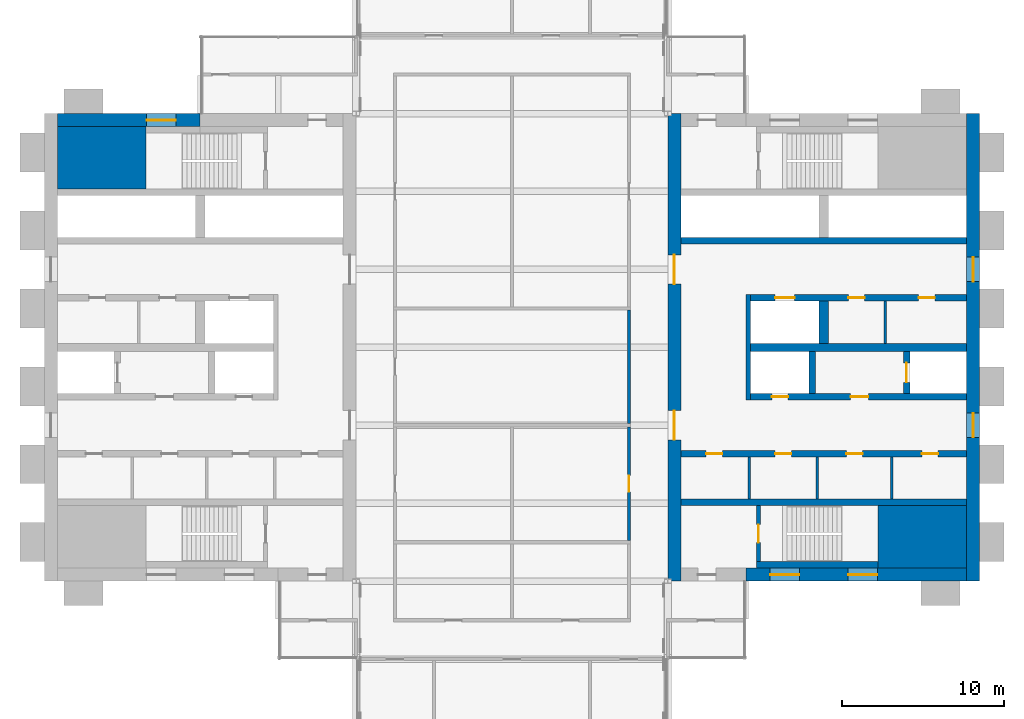
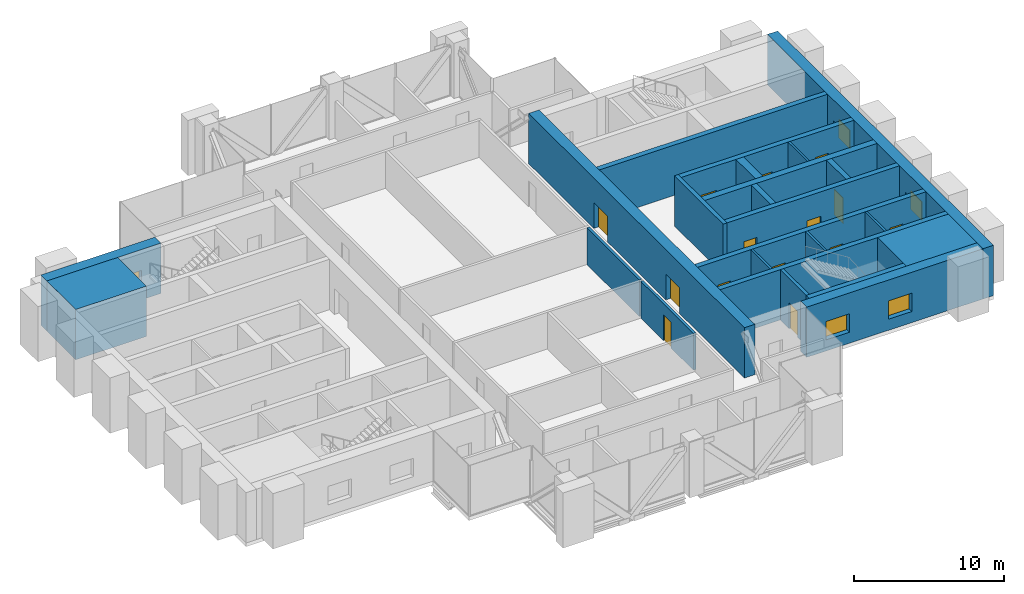
# One storey, part 10 of 13: 24 walls, 14 doors, 5 windows, 19 openings.
"""IFC4 building model written with IfcOpenShell, lengths in metres."""

from ifc_helpers import new_model, si_unit, direction, frame, frame_2d, origin, place, context, subcontext, project, spatial, rectangle, extrude, material, layer, layer_set, type_object, element, fill, save


model = new_model("IFC4")

# Units and contexts
model_context = context("Model", 3, precision=1e-05, world=origin(), true_north=direction((0.0, 1.0)))
body_context = subcontext(model_context, "Body", "Model", "MODEL_VIEW")
ifc_project = project(units=[si_unit("LENGTHUNIT", "METRE"), si_unit("AREAUNIT", "SQUARE_METRE"), si_unit("VOLUMEUNIT", "CUBIC_METRE"), si_unit("PLANEANGLEUNIT", "RADIAN"), si_unit("MASSUNIT", "GRAM", prefix="KILO")], contexts=[model_context])

# Site, building, storey
site_placement = place(None, origin())
site = spatial("IfcSite", under=ifc_project, at=site_placement, CompositionType="ELEMENT")
building_placement = place(site_placement, origin())
building = spatial("IfcBuilding", under=site, at=building_placement, Name="Baori Bourse Tower", CompositionType="ELEMENT")
storey_placement = place(building_placement, frame((0.0, 0.0, 265.199951171875)))
storey = spatial("IfcBuildingStorey", under=building, at=storey_placement, Name="L59", CompositionType="ELEMENT", Elevation=265.199951171875)

# Walls
ifc_material_1 = material(Name="Concrete f'c 50 MPa", Category="concrete")
wall_type_1 = type_object("IfcWallType", Name="Core corner block f'c 50", PredefinedType="SHEAR", material=ifc_material_1)
for number, where, z_axis, x_axis, name in (
    (1, (0.800048828125, 35.675048828125, 0.0), (0.0, 0.0, 1.0), (1.0, 0.0, 0.0), "Core wall W24"),
    (2, (51.35009765625, 12.324951171875, 0.0), (0.0, 0.0, 1.0), (1.0, 0.0, 0.0), "Core wall E05"),
):
    element("IfcWall", number, at=place(storey_placement, frame(where, z_axis=z_axis, x_axis=x_axis)), inside=storey, type_object=wall_type_1, Name=name, PredefinedType="SHEAR", context=body_context, shape_type="SweptSolid", body=[
        extrude(rectangle(XDim=5.449951171875, YDim=3.85009765625, at=frame_2d((2.72509765625, 0.0))), origin(), (0.0, 0.0, 1.0), 4.10009765625),
    ])
ifc_material_2 = material(Name="Blockwork partition", Category="masonry")
ifc_layer_1 = layer(ifc_material_2, 0.14990234375)
ifc_layer_set_1 = layer_set([ifc_layer_1], Name="Core partition 150")
wall_type_2 = type_object("IfcWallType", Name="Core partition 150", PredefinedType="PARTITIONING", material=ifc_layer_set_1)
for number, where, z_axis, x_axis, name in (
    (3, (52.199951171875, 14.64990234375, 0.0), (0.0, 0.0, 1.0), (0.0, 1.0, 0.0), "Partition wall E09"),
    (4, (47.60009765625, 14.64990234375, 0.0), (0.0, 0.0, 1.0), (0.0, 1.0, 0.0), "Partition wall E10"),
    (5, (43.39990234375, 14.64990234375, 0.0), (0.0, 0.0, 1.0), (0.0, 1.0, 0.0), "Partition wall E11"),
    (6, (51.800048828125, 24.25, 0.0), (0.0, 0.0, 1.0), (0.0, 1.0, 0.0), "Partition wall E18"),
):
    element("IfcWall", number, at=place(storey_placement, frame(where, z_axis=z_axis, x_axis=x_axis)), inside=storey, type_object=wall_type_2, Name=name, PredefinedType="PARTITIONING", context=body_context, shape_type="SweptSolid", body=[
        extrude(rectangle(XDim=2.60009765625, YDim=0.14990234375, at=frame_2d((1.300048828125, 0.0))), origin(), (0.0, 0.0, 1.0), 4.10009765625),
    ])

# Wall, opening, window
ifc_material_3 = material(Name="Concrete f'c 50 MPa", Category="concrete")
ifc_layer_2 = layer(ifc_material_3, 0.800048828125)
ifc_layer_set_2 = layer_set([ifc_layer_2], Name="Core wall 800 f'c 50")
wall_type_3 = type_object("IfcWallType", Name="Core wall 800 f'c 50", PredefinedType="SHEAR", material=ifc_layer_set_2)
wall_1_placement = place(storey_placement, frame((0.800048828125, 38.0, 0.0), z_axis=(0.0, 0.0, 1.0), x_axis=(1.0, 0.0, 0.0)))
wall_1 = element("IfcWall", 7, at=wall_1_placement, inside=storey, type_object=wall_type_3, Name="Core wall W28", PredefinedType="SHEAR", context=body_context, shape_type="SweptSolid", body=[
    extrude(rectangle(XDim=8.800048828125, YDim=0.800048828125, at=frame_2d((4.39990234375, 0.0))), origin(), (0.0, 0.0, 1.0), 4.10009765625),
])
opening_1_placement = place(wall_1_placement, frame((5.5, 0.0, 0.89990234375)))
opening_1 = element("IfcOpeningElement", 8, at=opening_1_placement, cuts=wall_1, Name="Opening L59-KW105", PredefinedType="OPENING", context=body_context, shape_type="SweptSolid", body=[
    extrude(rectangle(XDim=1.800048828125, YDim=1.5, at=frame_2d((0.89990234375, 0.75))), frame((0.0, 0.409912109375, 0.0), z_axis=(0.0, -1.0, 0.0), x_axis=(1.0, 0.0, 0.0)), (0.0, 0.0, 1.0), 0.820068359375),
])
ifc_material_4 = material(Name="Pale anodised aluminium", Category="aluminium")
window_type_1 = type_object("IfcWindowType", Name="Stair window 1800 x 1500", PartitioningType="SINGLE_PANEL", PredefinedType="WINDOW", material=ifc_material_4)
window_1_placement = place(opening_1_placement, origin())
window_1 = element("IfcWindow", 9, at=window_1_placement, inside=storey, type_object=window_type_1, Name="Stair window W L59 5", OverallHeight=1.5, OverallWidth=1.800048828125, PartitioningType="SINGLE_PANEL", PredefinedType="WINDOW", context=body_context, shape_type="SweptSolid", body=[
    extrude(rectangle(XDim=1.800048828125, YDim=1.5, at=frame_2d((0.89990234375, 0.75))), frame((0.0, 0.030029296875, 0.0), z_axis=(0.0, -1.0, 0.0), x_axis=(1.0, 0.0, 0.0)), (0.0, 0.0, 1.0), 0.06005859375),
])
fill(opening_1, window_1)

# Wall, openings, windows
wall_2_placement = place(storey_placement, frame((57.199951171875, 38.39990234375, 0.0), z_axis=(0.0, 0.0, 1.0), x_axis=(0.0, -1.0, 0.0)))
wall_2 = element("IfcWall", 10, at=wall_2_placement, inside=storey, type_object=wall_type_3, Name="Core wall E01", PredefinedType="SHEAR", context=body_context, shape_type="SweptSolid", body=[
    extrude(rectangle(XDim=28.7998046875, YDim=0.800048828125, at=frame_2d((14.39990234375, 0.0))), origin(), (0.0, 0.0, 1.0), 4.10009765625),
])
opening_2_placement = place(wall_2_placement, frame((18.449951171875, 0.0, 0.89990234375)))
opening_2 = element("IfcOpeningElement", 11, at=opening_2_placement, cuts=wall_2, Name="Opening L59-KW201", PredefinedType="OPENING", context=body_context, shape_type="SweptSolid", body=[
    extrude(rectangle(XDim=1.5, YDim=1.5, at=frame_2d((0.75, 0.75))), frame((0.0, 0.409912109375, 0.0), z_axis=(0.0, -1.0, 0.0), x_axis=(1.0, 0.0, 0.0)), (0.0, 0.0, 1.0), 0.820068359375),
])
opening_3_placement = place(wall_2_placement, frame((8.85009765625, 0.0, 0.89990234375)))
opening_3 = element("IfcOpeningElement", 12, at=opening_3_placement, cuts=wall_2, Name="Opening L59-KW202", PredefinedType="OPENING", context=body_context, shape_type="SweptSolid", body=[
    extrude(rectangle(XDim=1.5, YDim=1.5, at=frame_2d((0.75, 0.75))), frame((0.0, 0.409912109375, 0.0), z_axis=(0.0, -1.0, 0.0), x_axis=(1.0, 0.0, 0.0)), (0.0, 0.0, 1.0), 0.820068359375),
])
ifc_material_5 = material(Name="Pale anodised aluminium", Category="aluminium")
window_type_2 = type_object("IfcWindowType", Name="Lobby window 1500 x 1500", PartitioningType="SINGLE_PANEL", PredefinedType="WINDOW", material=ifc_material_5)
window_2_placement = place(opening_2_placement, origin())
window_2 = element("IfcWindow", 13, at=window_2_placement, inside=storey, type_object=window_type_2, Name="Outer wall window E L59 1", OverallHeight=1.5, OverallWidth=1.5, PartitioningType="SINGLE_PANEL", PredefinedType="WINDOW", context=body_context, shape_type="SweptSolid", body=[
    extrude(rectangle(XDim=1.5, YDim=1.5, at=frame_2d((0.75, 0.75))), frame((0.0, 0.030029296875, 0.0), z_axis=(0.0, -1.0, 0.0), x_axis=(1.0, 0.0, 0.0)), (0.0, 0.0, 1.0), 0.06005859375),
])
fill(opening_2, window_2)
window_3_placement = place(opening_3_placement, origin())
window_3 = element("IfcWindow", 14, at=window_3_placement, inside=storey, type_object=window_type_2, Name="Outer wall window E L59 2", OverallHeight=1.5, OverallWidth=1.5, PartitioningType="SINGLE_PANEL", PredefinedType="WINDOW", context=body_context, shape_type="SweptSolid", body=[
    extrude(rectangle(XDim=1.5, YDim=1.5, at=frame_2d((0.75, 0.75))), frame((0.0, 0.030029296875, 0.0), z_axis=(0.0, -1.0, 0.0), x_axis=(1.0, 0.0, 0.0)), (0.0, 0.0, 1.0), 0.06005859375),
])
fill(opening_3, window_3)

wall_3_placement = place(storey_placement, frame((56.800048828125, 10.0, 0.0), z_axis=(0.0, 0.0, 1.0), x_axis=(-1.0, 0.0, 0.0)))
wall_3 = element("IfcWall", 15, at=wall_3_placement, inside=storey, type_object=wall_type_3, Name="Core wall E02", PredefinedType="SHEAR", context=body_context, shape_type="SweptSolid", body=[
    extrude(rectangle(XDim=13.60009765625, YDim=0.800048828125, at=frame_2d((6.800048828125, 0.0))), origin(), (0.0, 0.0, 1.0), 4.10009765625),
])
opening_4_placement = place(wall_3_placement, frame((5.5, 0.0, 0.89990234375)))
opening_4 = element("IfcOpeningElement", 16, at=opening_4_placement, cuts=wall_3, Name="Opening L59-KW203", PredefinedType="OPENING", context=body_context, shape_type="SweptSolid", body=[
    extrude(rectangle(XDim=1.800048828125, YDim=1.5, at=frame_2d((0.89990234375, 0.75))), frame((0.0, 0.409912109375, 0.0), z_axis=(0.0, -1.0, 0.0), x_axis=(1.0, 0.0, 0.0)), (0.0, 0.0, 1.0), 0.820068359375),
])
opening_5_placement = place(wall_3_placement, frame((10.300048828125, 0.0, 0.89990234375)))
opening_5 = element("IfcOpeningElement", 17, at=opening_5_placement, cuts=wall_3, Name="Opening L59-KW204", PredefinedType="OPENING", context=body_context, shape_type="SweptSolid", body=[
    extrude(rectangle(XDim=1.800048828125, YDim=1.5, at=frame_2d((0.89990234375, 0.75))), frame((0.0, 0.409912109375, 0.0), z_axis=(0.0, -1.0, 0.0), x_axis=(1.0, 0.0, 0.0)), (0.0, 0.0, 1.0), 0.820068359375),
])
window_4_placement = place(opening_4_placement, origin())
window_4 = element("IfcWindow", 18, at=window_4_placement, inside=storey, type_object=window_type_1, Name="Stair window E L59 3", OverallHeight=1.5, OverallWidth=1.800048828125, PartitioningType="SINGLE_PANEL", PredefinedType="WINDOW", context=body_context, shape_type="SweptSolid", body=[
    extrude(rectangle(XDim=1.800048828125, YDim=1.5, at=frame_2d((0.89990234375, 0.75))), frame((0.0, 0.030029296875, 0.0), z_axis=(0.0, -1.0, 0.0), x_axis=(1.0, 0.0, 0.0)), (0.0, 0.0, 1.0), 0.06005859375),
])
fill(opening_4, window_4)
window_5_placement = place(opening_5_placement, origin())
window_5 = element("IfcWindow", 19, at=window_5_placement, inside=storey, type_object=window_type_1, Name="Stair window E L59 4", OverallHeight=1.5, OverallWidth=1.800048828125, PartitioningType="SINGLE_PANEL", PredefinedType="WINDOW", context=body_context, shape_type="SweptSolid", body=[
    extrude(rectangle(XDim=1.800048828125, YDim=1.5, at=frame_2d((0.89990234375, 0.75))), frame((0.0, 0.030029296875, 0.0), z_axis=(0.0, -1.0, 0.0), x_axis=(1.0, 0.0, 0.0)), (0.0, 0.0, 1.0), 0.06005859375),
])
fill(opening_5, window_5)

# Wall, openings, doors
wall_4_placement = place(storey_placement, frame((38.800048828125, 9.60009765625, 0.0), z_axis=(0.0, 0.0, 1.0), x_axis=(0.0, 1.0, 0.0)))
wall_4 = element("IfcWall", 20, at=wall_4_placement, inside=storey, type_object=wall_type_3, Name="Core wall E04", PredefinedType="SHEAR", context=body_context, shape_type="SweptSolid", body=[
    extrude(rectangle(XDim=28.7998046875, YDim=0.800048828125, at=frame_2d((14.39990234375, 0.0))), origin(), (0.0, 0.0, 1.0), 4.10009765625),
])
opening_6_placement = place(wall_4_placement, frame((8.699951171875, 0.0, 0.0)))
opening_6 = element("IfcOpeningElement", 21, at=opening_6_placement, cuts=wall_4, Name="Opening L59-D207", PredefinedType="OPENING", context=body_context, shape_type="SweptSolid", body=[
    extrude(rectangle(XDim=1.800048828125, YDim=2.10009765625, at=frame_2d((0.89990234375, 1.050048828125))), frame((0.0, 0.409912109375, 0.0), z_axis=(0.0, -1.0, 0.0), x_axis=(1.0, 0.0, 0.0)), (0.0, 0.0, 1.0), 0.820068359375),
])
opening_7_placement = place(wall_4_placement, frame((18.300048828125, 0.0, 0.0)))
opening_7 = element("IfcOpeningElement", 22, at=opening_7_placement, cuts=wall_4, Name="Opening L59-D208", PredefinedType="OPENING", context=body_context, shape_type="SweptSolid", body=[
    extrude(rectangle(XDim=1.800048828125, YDim=2.10009765625, at=frame_2d((0.89990234375, 1.050048828125))), frame((0.0, 0.409912109375, 0.0), z_axis=(0.0, -1.0, 0.0), x_axis=(1.0, 0.0, 0.0)), (0.0, 0.0, 1.0), 0.820068359375),
])
ifc_material_6 = material(Name="Painted steel door", Category="steel")
door_type_1 = type_object("IfcDoorType", Name="Core lobby door 1800", OperationType="DOUBLE_DOOR_SINGLE_SWING", PredefinedType="DOOR", material=ifc_material_6)
door_1_placement = place(opening_6_placement, origin())
door_1 = element("IfcDoor", 23, at=door_1_placement, inside=storey, type_object=door_type_1, Name="Lobby door E L59", OperationType="DOUBLE_DOOR_SINGLE_SWING", OverallHeight=2.10009765625, OverallWidth=1.800048828125, PredefinedType="DOOR", context=body_context, shape_type="SweptSolid", body=[
    extrude(rectangle(XDim=1.800048828125, YDim=2.10009765625, at=frame_2d((0.89990234375, 1.050048828125))), frame((0.0, 0.02490234375, 0.0), z_axis=(0.0, -1.0, 0.0), x_axis=(1.0, 0.0, 0.0)), (0.0, 0.0, 1.0), 0.050048828125),
])
fill(opening_6, door_1)
door_2_placement = place(opening_7_placement, origin())
door_2 = element("IfcDoor", 24, at=door_2_placement, inside=storey, type_object=door_type_1, Name="Lobby door E L59", OperationType="DOUBLE_DOOR_SINGLE_SWING", OverallHeight=2.10009765625, OverallWidth=1.800048828125, PredefinedType="DOOR", context=body_context, shape_type="SweptSolid", body=[
    extrude(rectangle(XDim=1.800048828125, YDim=2.10009765625, at=frame_2d((0.89990234375, 1.050048828125))), frame((0.0, 0.02490234375, 0.0), z_axis=(0.0, -1.0, 0.0), x_axis=(1.0, 0.0, 0.0)), (0.0, 0.0, 1.0), 0.050048828125),
])
fill(opening_7, door_2)

# Wall, opening, door
ifc_material_7 = material(Name="Gypsum board partition")
ifc_layer_3 = layer(ifc_material_7, 0.199951171875)
ifc_layer_set_3 = layer_set([ifc_layer_3], Name="Plant room wall 200")
wall_type_4 = type_object("IfcWallType", Name="Plant room wall 200", PredefinedType="PARTITIONING", material=ifc_layer_set_3)
wall_5_placement = place(storey_placement, frame((36.0, 12.10009765625, 0.0), z_axis=(0.0, 0.0, 1.0), x_axis=(0.0, 1.0, 0.0)))
wall_5 = element("IfcWall", 25, at=wall_5_placement, inside=storey, type_object=wall_type_4, Name="Partition", PredefinedType="PARTITIONING", context=body_context, shape_type="SweptSolid", body=[
    extrude(rectangle(XDim=7.0, YDim=0.199951171875, at=frame_2d((3.5, 0.0))), origin(), (0.0, 0.0, 1.0), 2.99267578125),
])
opening_8_placement = place(wall_5_placement, frame((3.0, 0.0, 0.0)))
opening_8 = element("IfcOpeningElement", 26, at=opening_8_placement, cuts=wall_5, Name="Opening L59-D16", PredefinedType="OPENING", context=body_context, shape_type="SweptSolid", body=[
    extrude(rectangle(XDim=1.0, YDim=2.10009765625, at=frame_2d((0.5, 1.050048828125))), frame((0.0, 0.10986328125, 0.0), z_axis=(0.0, -1.0, 0.0), x_axis=(1.0, 0.0, 0.0)), (0.0, 0.0, 1.0), 0.219970703125),
])
ifc_material_8 = material(Name="Timber door leaf", Category="wood")
door_type_2 = type_object("IfcDoorType", Name="Door 1000 x 2100", OperationType="SINGLE_SWING_LEFT", PredefinedType="DOOR", material=ifc_material_8)
door_3_placement = place(opening_8_placement, origin())
door_3 = element("IfcDoor", 27, at=door_3_placement, inside=storey, type_object=door_type_2, Name="Door", OperationType="SINGLE_SWING_RIGHT", OverallHeight=2.10009765625, OverallWidth=1.0, PredefinedType="DOOR", context=body_context, shape_type="SweptSolid", body=[
    extrude(rectangle(XDim=1.0, YDim=2.10009765625, at=frame_2d((0.5, 1.050048828125))), frame((0.0, 0.02490234375, 0.0), z_axis=(0.0, -1.0, 0.0), x_axis=(1.0, 0.0, 0.0)), (0.0, 0.0, 1.0), 0.050048828125),
])
fill(opening_8, door_3)

# Wall
wall_6_placement = place(storey_placement, frame((36.0, 19.300048828125, 0.0), z_axis=(0.0, 0.0, 1.0), x_axis=(0.0, 1.0, 0.0)))
element("IfcWall", 28, at=wall_6_placement, inside=storey, type_object=wall_type_4, Name="Partition", PredefinedType="PARTITIONING", context=body_context, shape_type="SweptSolid", body=[
    extrude(rectangle(XDim=7.0, YDim=0.199951171875, at=frame_2d((3.5, 0.0))), origin(), (0.0, 0.0, 1.0), 2.99267578125),
])

# Wall, opening, door
ifc_material_9 = material(Name="Concrete f'c 50 MPa", Category="concrete")
ifc_layer_4 = layer(ifc_material_9, 0.25)
ifc_layer_set_4 = layer_set([ifc_layer_4], Name="Shaft wall 250 f'c 50")
wall_type_5 = type_object("IfcWallType", Name="Shaft wall 250 f'c 50", PredefinedType="SHEAR", material=ifc_layer_set_4)
wall_7_placement = place(storey_placement, frame((43.97509765625, 10.800048828125, 0.0), z_axis=(0.0, 0.0, 1.0), x_axis=(0.0, 1.0, 0.0)))
wall_7 = element("IfcWall", 29, at=wall_7_placement, inside=storey, type_object=wall_type_5, Name="Core wall E07", PredefinedType="SHEAR", context=body_context, shape_type="SweptSolid", body=[
    extrude(rectangle(XDim=3.449951171875, YDim=0.25, at=frame_2d((1.72509765625, 0.0))), origin(), (0.0, 0.0, 1.0), 4.10009765625),
])
opening_9_placement = place(wall_7_placement, frame((1.175048828125, 0.0, 0.0)))
opening_9 = element("IfcOpeningElement", 30, at=opening_9_placement, cuts=wall_7, Name="Opening L59-D201", PredefinedType="OPENING", context=body_context, shape_type="SweptSolid", body=[
    extrude(rectangle(XDim=1.10009765625, YDim=2.10009765625, at=frame_2d((0.550048828125, 1.050048828125))), frame((0.0, 0.135009765625, 0.0), z_axis=(0.0, -1.0, 0.0), x_axis=(1.0, 0.0, 0.0)), (0.0, 0.0, 1.0), 0.27001953125),
])
ifc_material_10 = material(Name="Painted steel door", Category="steel")
door_type_3 = type_object("IfcDoorType", Name="Stair door 1100", OperationType="SINGLE_SWING_LEFT", PredefinedType="DOOR", material=ifc_material_10)
door_4_placement = place(opening_9_placement, origin())
door_4 = element("IfcDoor", 31, at=door_4_placement, inside=storey, type_object=door_type_3, Name="Stair door A E L59", OperationType="SINGLE_SWING_LEFT", OverallHeight=2.10009765625, OverallWidth=1.10009765625, PredefinedType="DOOR", context=body_context, shape_type="SweptSolid", body=[
    extrude(rectangle(XDim=1.10009765625, YDim=2.10009765625, at=frame_2d((0.550048828125, 1.050048828125))), frame((0.0, 0.02490234375, 0.0), z_axis=(0.0, -1.0, 0.0), x_axis=(1.0, 0.0, 0.0)), (0.0, 0.0, 1.0), 0.050048828125),
])
fill(opening_9, door_4)

# Walls
ifc_material_11 = material(Name="Concrete f'c 50 MPa", Category="concrete")
ifc_layer_5 = layer(ifc_material_11, 0.300048828125)
ifc_layer_set_5 = layer_set([ifc_layer_5], Name="Shaft wall 300 f'c 50")
wall_type_6 = type_object("IfcWallType", Name="Shaft wall 300 f'c 50", PredefinedType="SHEAR", material=ifc_layer_set_5)
wall_8_placement = place(storey_placement, frame((43.35009765625, 20.75, 0.0), z_axis=(0.0, 0.0, 1.0), x_axis=(0.0, 1.0, 0.0)))
element("IfcWall", 32, at=wall_8_placement, inside=storey, type_object=wall_type_6, Name="Core wall E14", PredefinedType="SHEAR", context=body_context, shape_type="SweptSolid", body=[
    extrude(rectangle(XDim=6.5, YDim=0.300048828125, at=frame_2d((3.25, 0.0))), origin(), (0.0, 0.0, 1.0), 4.10009765625),
])
ifc_material_12 = material(Name="Concrete f'c 50 MPa", Category="concrete")
ifc_layer_6 = layer(ifc_material_12, 0.39990234375)
ifc_layer_set_6 = layer_set([ifc_layer_6], Name="Shaft wall 400 f'c 50")
wall_type_7 = type_object("IfcWallType", Name="Shaft wall 400 f'c 50", PredefinedType="SHEAR", material=ifc_layer_set_6)
wall_9_placement = place(storey_placement, frame((43.85009765625, 10.60009765625, 0.0), z_axis=(0.0, 0.0, 1.0), x_axis=(1.0, 0.0, 0.0)))
element("IfcWall", 33, at=wall_9_placement, inside=storey, type_object=wall_type_7, Name="Core wall E06", PredefinedType="SHEAR", context=body_context, shape_type="SweptSolid", body=[
    extrude(rectangle(XDim=7.5, YDim=0.39990234375, at=frame_2d((3.75, 0.0))), origin(), (0.0, 0.0, 1.0), 4.10009765625),
])
wall_10_placement = place(storey_placement, frame((39.199951171875, 14.449951171875, 0.0), z_axis=(0.0, 0.0, 1.0), x_axis=(1.0, 0.0, 0.0)))
element("IfcWall", 34, at=wall_10_placement, inside=storey, type_object=wall_type_7, Name="Core wall E08", PredefinedType="SHEAR", context=body_context, shape_type="SweptSolid", body=[
    extrude(rectangle(XDim=17.60009765625, YDim=0.39990234375, at=frame_2d((8.800048828125, 0.0))), origin(), (0.0, 0.0, 1.0), 4.10009765625),
])

# Wall, openings, doors
wall_11_placement = place(storey_placement, frame((39.199951171875, 17.449951171875, 0.0), z_axis=(0.0, 0.0, 1.0), x_axis=(1.0, 0.0, 0.0)))
wall_11 = element("IfcWall", 35, at=wall_11_placement, inside=storey, type_object=wall_type_7, Name="Core wall E12", PredefinedType="SHEAR", context=body_context, shape_type="SweptSolid", body=[
    extrude(rectangle(XDim=17.60009765625, YDim=0.39990234375, at=frame_2d((8.800048828125, 0.0))), origin(), (0.0, 0.0, 1.0), 4.10009765625),
])
opening_10_placement = place(wall_11_placement, frame((14.83740234375, 0.0, 0.0)))
opening_10 = element("IfcOpeningElement", 36, at=opening_10_placement, cuts=wall_11, Name="Opening L59-D209", PredefinedType="OPENING", context=body_context, shape_type="SweptSolid", body=[
    extrude(rectangle(XDim=1.0, YDim=2.10009765625, at=frame_2d((0.5, 1.050048828125))), frame((0.0, 0.2099609375, 0.0), z_axis=(0.0, -1.0, 0.0), x_axis=(1.0, 0.0, 0.0)), (0.0, 0.0, 1.0), 0.419921875),
])
opening_11_placement = place(wall_11_placement, frame((10.199951171875, 0.0, 0.0)))
opening_11 = element("IfcOpeningElement", 37, at=opening_11_placement, cuts=wall_11, Name="Opening L59-D210", PredefinedType="OPENING", context=body_context, shape_type="SweptSolid", body=[
    extrude(rectangle(XDim=1.0, YDim=2.10009765625, at=frame_2d((0.5, 1.050048828125))), frame((0.0, 0.2099609375, 0.0), z_axis=(0.0, -1.0, 0.0), x_axis=(1.0, 0.0, 0.0)), (0.0, 0.0, 1.0), 0.419921875),
])
opening_12_placement = place(wall_11_placement, frame((5.800048828125, 0.0, 0.0)))
opening_12 = element("IfcOpeningElement", 38, at=opening_12_placement, cuts=wall_11, Name="Opening L59-D211", PredefinedType="OPENING", context=body_context, shape_type="SweptSolid", body=[
    extrude(rectangle(XDim=1.0, YDim=2.10009765625, at=frame_2d((0.5, 1.050048828125))), frame((0.0, 0.2099609375, 0.0), z_axis=(0.0, -1.0, 0.0), x_axis=(1.0, 0.0, 0.0)), (0.0, 0.0, 1.0), 0.419921875),
])
opening_13_placement = place(wall_11_placement, frame((1.5625, 0.0, 0.0)))
opening_13 = element("IfcOpeningElement", 39, at=opening_13_placement, cuts=wall_11, Name="Opening L59-D212", PredefinedType="OPENING", context=body_context, shape_type="SweptSolid", body=[
    extrude(rectangle(XDim=1.0, YDim=2.10009765625, at=frame_2d((0.5, 1.050048828125))), frame((0.0, 0.2099609375, 0.0), z_axis=(0.0, -1.0, 0.0), x_axis=(1.0, 0.0, 0.0)), (0.0, 0.0, 1.0), 0.419921875),
])
ifc_material_13 = material(Name="Painted steel door", Category="steel")
door_type_4 = type_object("IfcDoorType", Name="Core door 1000", OperationType="SINGLE_SWING_LEFT", PredefinedType="DOOR", material=ifc_material_13)
door_5_placement = place(opening_12_placement, origin())
door_5 = element("IfcDoor", 40, at=door_5_placement, inside=storey, type_object=door_type_4, Name="Plant Floor Refuge Room door E L59", OperationType="SINGLE_SWING_LEFT", OverallHeight=2.10009765625, OverallWidth=1.0, PredefinedType="DOOR", context=body_context, shape_type="SweptSolid", body=[
    extrude(rectangle(XDim=1.0, YDim=2.10009765625, at=frame_2d((0.5, 1.050048828125))), frame((0.0, 0.02490234375, 0.0), z_axis=(0.0, -1.0, 0.0), x_axis=(1.0, 0.0, 0.0)), (0.0, 0.0, 1.0), 0.050048828125),
])
fill(opening_12, door_5)
ifc_material_14 = material(Name="Painted steel door", Category="steel")
door_type_5 = type_object("IfcDoorType", Name="Plant room door 1000", OperationType="SINGLE_SWING_LEFT", PredefinedType="DOOR", material=ifc_material_14)
door_6_placement = place(opening_10_placement, origin())
door_6 = element("IfcDoor", 41, at=door_6_placement, inside=storey, type_object=door_type_5, Name="Electrical Room door E L59", OperationType="SINGLE_SWING_LEFT", OverallHeight=2.10009765625, OverallWidth=1.0, PredefinedType="DOOR", context=body_context, shape_type="SweptSolid", body=[
    extrude(rectangle(XDim=1.0, YDim=2.10009765625, at=frame_2d((0.5, 1.050048828125))), frame((0.0, 0.02490234375, 0.0), z_axis=(0.0, -1.0, 0.0), x_axis=(1.0, 0.0, 0.0)), (0.0, 0.0, 1.0), 0.050048828125),
])
fill(opening_10, door_6)
door_7_placement = place(opening_11_placement, origin())
door_7 = element("IfcDoor", 42, at=door_7_placement, inside=storey, type_object=door_type_5, Name="Mechanical Room door E L59", OperationType="SINGLE_SWING_LEFT", OverallHeight=2.10009765625, OverallWidth=1.0, PredefinedType="DOOR", context=body_context, shape_type="SweptSolid", body=[
    extrude(rectangle(XDim=1.0, YDim=2.10009765625, at=frame_2d((0.5, 1.050048828125))), frame((0.0, 0.02490234375, 0.0), z_axis=(0.0, -1.0, 0.0), x_axis=(1.0, 0.0, 0.0)), (0.0, 0.0, 1.0), 0.050048828125),
])
fill(opening_11, door_7)
door_8_placement = place(opening_13_placement, origin())
door_8 = element("IfcDoor", 43, at=door_8_placement, inside=storey, type_object=door_type_5, Name="Communications Room door E L59", OperationType="SINGLE_SWING_LEFT", OverallHeight=2.10009765625, OverallWidth=1.0, PredefinedType="DOOR", context=body_context, shape_type="SweptSolid", body=[
    extrude(rectangle(XDim=1.0, YDim=2.10009765625, at=frame_2d((0.5, 1.050048828125))), frame((0.0, 0.02490234375, 0.0), z_axis=(0.0, -1.0, 0.0), x_axis=(1.0, 0.0, 0.0)), (0.0, 0.0, 1.0), 0.050048828125),
])
fill(opening_13, door_8)

wall_12_placement = place(storey_placement, frame((43.5, 20.949951171875, 0.0), z_axis=(0.0, 0.0, 1.0), x_axis=(1.0, 0.0, 0.0)))
wall_12 = element("IfcWall", 44, at=wall_12_placement, inside=storey, type_object=wall_type_7, Name="Core wall E13", PredefinedType="SHEAR", context=body_context, shape_type="SweptSolid", body=[
    extrude(rectangle(XDim=13.300048828125, YDim=0.39990234375, at=frame_2d((6.64990234375, 0.0))), origin(), (0.0, 0.0, 1.0), 4.10009765625),
])
opening_14_placement = place(wall_12_placement, frame((6.14990234375, 0.0, 0.0)))
opening_14 = element("IfcOpeningElement", 45, at=opening_14_placement, cuts=wall_12, Name="Opening L59-D205", PredefinedType="OPENING", context=body_context, shape_type="SweptSolid", body=[
    extrude(rectangle(XDim=1.10009765625, YDim=2.10009765625, at=frame_2d((0.550048828125, 1.050048828125))), frame((0.0, 0.2099609375, 0.0), z_axis=(0.0, -1.0, 0.0), x_axis=(1.0, 0.0, 0.0)), (0.0, 0.0, 1.0), 0.419921875),
])
opening_15_placement = place(wall_12_placement, frame((1.300048828125, 0.0, 0.0)))
opening_15 = element("IfcOpeningElement", 46, at=opening_15_placement, cuts=wall_12, Name="Opening L59-D206", PredefinedType="OPENING", context=body_context, shape_type="SweptSolid", body=[
    extrude(rectangle(XDim=1.0, YDim=2.10009765625, at=frame_2d((0.5, 1.050048828125))), frame((0.0, 0.2099609375, 0.0), z_axis=(0.0, -1.0, 0.0), x_axis=(1.0, 0.0, 0.0)), (0.0, 0.0, 1.0), 0.419921875),
])
ifc_material_15 = material(Name="Painted steel door", Category="steel")
door_type_6 = type_object("IfcDoorType", Name="Lobby door 1100", OperationType="SINGLE_SWING_LEFT", PredefinedType="DOOR", material=ifc_material_15)
door_9_placement = place(opening_14_placement, origin())
door_9 = element("IfcDoor", 47, at=door_9_placement, inside=storey, type_object=door_type_6, Name="Firefighting lobby door E L59", OperationType="SINGLE_SWING_LEFT", OverallHeight=2.10009765625, OverallWidth=1.10009765625, PredefinedType="DOOR", context=body_context, shape_type="SweptSolid", body=[
    extrude(rectangle(XDim=1.10009765625, YDim=2.10009765625, at=frame_2d((0.550048828125, 1.050048828125))), frame((0.0, 0.02490234375, 0.0), z_axis=(0.0, -1.0, 0.0), x_axis=(1.0, 0.0, 0.0)), (0.0, 0.0, 1.0), 0.050048828125),
])
fill(opening_14, door_9)
ifc_material_16 = material(Name="Painted steel door", Category="steel")
door_type_7 = type_object("IfcDoorType", Name="Shaft door 1000", OperationType="SINGLE_SWING_LEFT", PredefinedType="DOOR", material=ifc_material_16)
door_10_placement = place(opening_15_placement, origin())
door_10 = element("IfcDoor", 48, at=door_10_placement, inside=storey, type_object=door_type_7, Name="Riser room door E L59", OperationType="SINGLE_SWING_LEFT", OverallHeight=2.10009765625, OverallWidth=1.0, PredefinedType="DOOR", context=body_context, shape_type="SweptSolid", body=[
    extrude(rectangle(XDim=1.0, YDim=2.10009765625, at=frame_2d((0.5, 1.050048828125))), frame((0.0, 0.02490234375, 0.0), z_axis=(0.0, -1.0, 0.0), x_axis=(1.0, 0.0, 0.0)), (0.0, 0.0, 1.0), 0.050048828125),
])
fill(opening_15, door_10)

# Wall, opening, door
wall_13_placement = place(storey_placement, frame((53.10009765625, 21.14990234375, 0.0), z_axis=(0.0, 0.0, 1.0), x_axis=(0.0, 1.0, 0.0)))
wall_13 = element("IfcWall", 49, at=wall_13_placement, inside=storey, type_object=wall_type_7, Name="Core wall E15", PredefinedType="SHEAR", context=body_context, shape_type="SweptSolid", body=[
    extrude(rectangle(XDim=2.60009765625, YDim=0.39990234375, at=frame_2d((1.300048828125, 0.0))), origin(), (0.0, 0.0, 1.0), 4.10009765625),
])
opening_16_placement = place(wall_13_placement, frame((0.699951171875, 0.0, 0.0)))
opening_16 = element("IfcOpeningElement", 50, at=opening_16_placement, cuts=wall_13, Name="Opening L59-D216", PredefinedType="OPENING", context=body_context, shape_type="SweptSolid", body=[
    extrude(rectangle(XDim=1.199951171875, YDim=2.10009765625, at=frame_2d((0.60009765625, 1.050048828125))), frame((0.0, 0.2099609375, 0.0), z_axis=(0.0, -1.0, 0.0), x_axis=(1.0, 0.0, 0.0)), (0.0, 0.0, 1.0), 0.419921875),
])
ifc_material_17 = material(Name="Stainless steel door", Category="steel")
door_type_8 = type_object("IfcDoorType", Name="Lift landing door", OperationType="DOUBLE_DOOR_SLIDING", PredefinedType="DOOR", material=ifc_material_17)
door_11_placement = place(opening_16_placement, origin())
door_11 = element("IfcDoor", 51, at=door_11_placement, inside=storey, type_object=door_type_8, Name="Lift landing door FF2 E L59", OperationType="DOUBLE_DOOR_SLIDING", OverallHeight=2.10009765625, OverallWidth=1.199951171875, PredefinedType="DOOR", context=body_context, shape_type="SweptSolid", body=[
    extrude(rectangle(XDim=1.199951171875, YDim=2.10009765625, at=frame_2d((0.60009765625, 1.050048828125))), frame((0.0, 0.02490234375, 0.0), z_axis=(0.0, -1.0, 0.0), x_axis=(1.0, 0.0, 0.0)), (0.0, 0.0, 1.0), 0.050048828125),
])
fill(opening_16, door_11)

# Wall
wall_14_placement = place(storey_placement, frame((47.300048828125, 21.14990234375, 0.0), z_axis=(0.0, 0.0, 1.0), x_axis=(0.0, 1.0, 0.0)))
element("IfcWall", 52, at=wall_14_placement, inside=storey, type_object=wall_type_7, Name="Core wall E16", PredefinedType="SHEAR", context=body_context, shape_type="SweptSolid", body=[
    extrude(rectangle(XDim=2.60009765625, YDim=0.39990234375, at=frame_2d((1.300048828125, 0.0))), origin(), (0.0, 0.0, 1.0), 4.10009765625),
])

# Wall, openings, doors
wall_15_placement = place(storey_placement, frame((43.5, 27.050048828125, 0.0), z_axis=(0.0, 0.0, 1.0), x_axis=(1.0, 0.0, 0.0)))
wall_15 = element("IfcWall", 53, at=wall_15_placement, inside=storey, type_object=wall_type_7, Name="Core wall E20", PredefinedType="SHEAR", context=body_context, shape_type="SweptSolid", body=[
    extrude(rectangle(XDim=13.300048828125, YDim=0.39990234375, at=frame_2d((6.64990234375, 0.0))), origin(), (0.0, 0.0, 1.0), 4.10009765625),
])
opening_17_placement = place(wall_15_placement, frame((10.33740234375, 0.0, 0.0)))
opening_17 = element("IfcOpeningElement", 54, at=opening_17_placement, cuts=wall_15, Name="Opening L59-D213", PredefinedType="OPENING", context=body_context, shape_type="SweptSolid", body=[
    extrude(rectangle(XDim=1.0, YDim=2.10009765625, at=frame_2d((0.5, 1.050048828125))), frame((0.0, 0.2099609375, 0.0), z_axis=(0.0, -1.0, 0.0), x_axis=(1.0, 0.0, 0.0)), (0.0, 0.0, 1.0), 0.419921875),
])
opening_18_placement = place(wall_15_placement, frame((6.012451171875, 0.0, 0.0)))
opening_18 = element("IfcOpeningElement", 55, at=opening_18_placement, cuts=wall_15, Name="Opening L59-D214", PredefinedType="OPENING", context=body_context, shape_type="SweptSolid", body=[
    extrude(rectangle(XDim=1.0, YDim=2.10009765625, at=frame_2d((0.5, 1.050048828125))), frame((0.0, 0.2099609375, 0.0), z_axis=(0.0, -1.0, 0.0), x_axis=(1.0, 0.0, 0.0)), (0.0, 0.0, 1.0), 0.419921875),
])
opening_19_placement = place(wall_15_placement, frame((1.5, 0.0, 0.0)))
opening_19 = element("IfcOpeningElement", 56, at=opening_19_placement, cuts=wall_15, Name="Opening L59-D215", PredefinedType="OPENING", context=body_context, shape_type="SweptSolid", body=[
    extrude(rectangle(XDim=1.199951171875, YDim=2.10009765625, at=frame_2d((0.60009765625, 1.050048828125))), frame((0.0, 0.2099609375, 0.0), z_axis=(0.0, -1.0, 0.0), x_axis=(1.0, 0.0, 0.0)), (0.0, 0.0, 1.0), 0.419921875),
])
door_12_placement = place(opening_18_placement, origin())
door_12 = element("IfcDoor", 57, at=door_12_placement, inside=storey, type_object=door_type_4, Name="Store Room door E L59", OperationType="SINGLE_SWING_LEFT", OverallHeight=2.10009765625, OverallWidth=1.0, PredefinedType="DOOR", context=body_context, shape_type="SweptSolid", body=[
    extrude(rectangle(XDim=1.0, YDim=2.10009765625, at=frame_2d((0.5, 1.050048828125))), frame((0.0, 0.02490234375, 0.0), z_axis=(0.0, -1.0, 0.0), x_axis=(1.0, 0.0, 0.0)), (0.0, 0.0, 1.0), 0.050048828125),
])
fill(opening_18, door_12)
door_13_placement = place(opening_19_placement, origin())
door_13 = element("IfcDoor", 58, at=door_13_placement, inside=storey, type_object=door_type_8, Name="Lift landing door SV1 E L59", OperationType="DOUBLE_DOOR_SLIDING", OverallHeight=2.10009765625, OverallWidth=1.199951171875, PredefinedType="DOOR", context=body_context, shape_type="SweptSolid", body=[
    extrude(rectangle(XDim=1.199951171875, YDim=2.10009765625, at=frame_2d((0.60009765625, 1.050048828125))), frame((0.0, 0.02490234375, 0.0), z_axis=(0.0, -1.0, 0.0), x_axis=(1.0, 0.0, 0.0)), (0.0, 0.0, 1.0), 0.050048828125),
])
fill(opening_19, door_13)
door_14_placement = place(opening_17_placement, origin())
door_14 = element("IfcDoor", 59, at=door_14_placement, inside=storey, type_object=door_type_5, Name="Mechanical Room door E L59", OperationType="SINGLE_SWING_LEFT", OverallHeight=2.10009765625, OverallWidth=1.0, PredefinedType="DOOR", context=body_context, shape_type="SweptSolid", body=[
    extrude(rectangle(XDim=1.0, YDim=2.10009765625, at=frame_2d((0.5, 1.050048828125))), frame((0.0, 0.02490234375, 0.0), z_axis=(0.0, -1.0, 0.0), x_axis=(1.0, 0.0, 0.0)), (0.0, 0.0, 1.0), 0.050048828125),
])
fill(opening_17, door_14)

# Walls
wall_16_placement = place(storey_placement, frame((39.199951171875, 30.550048828125, 0.0), z_axis=(0.0, 0.0, 1.0), x_axis=(1.0, 0.0, 0.0)))
element("IfcWall", 60, at=wall_16_placement, inside=storey, type_object=wall_type_7, Name="Core wall E21", PredefinedType="SHEAR", context=body_context, shape_type="SweptSolid", body=[
    extrude(rectangle(XDim=17.60009765625, YDim=0.39990234375, at=frame_2d((8.800048828125, 0.0))), origin(), (0.0, 0.0, 1.0), 4.10009765625),
])
ifc_material_18 = material(Name="Concrete f'c 50 MPa", Category="concrete")
ifc_layer_7 = layer(ifc_material_18, 0.5)
ifc_layer_set_7 = layer_set([ifc_layer_7], Name="Shaft wall 500 f'c 50")
wall_type_8 = type_object("IfcWallType", Name="Shaft wall 500 f'c 50", PredefinedType="SHEAR", material=ifc_layer_set_7)
wall_17_placement = place(storey_placement, frame((43.5, 24.0, 0.0), z_axis=(0.0, 0.0, 1.0), x_axis=(1.0, 0.0, 0.0)))
element("IfcWall", 61, at=wall_17_placement, inside=storey, type_object=wall_type_8, Name="Core wall E17", PredefinedType="SHEAR", context=body_context, shape_type="SweptSolid", body=[
    extrude(rectangle(XDim=13.300048828125, YDim=0.5, at=frame_2d((6.64990234375, 0.0))), origin(), (0.0, 0.0, 1.0), 4.10009765625),
])
ifc_material_19 = material(Name="Concrete f'c 50 MPa", Category="concrete")
ifc_layer_8 = layer(ifc_material_19, 0.60009765625)
ifc_layer_set_8 = layer_set([ifc_layer_8], Name="Shaft wall 600 f'c 50")
wall_type_9 = type_object("IfcWallType", Name="Shaft wall 600 f'c 50", PredefinedType="SHEAR", material=ifc_layer_set_8)
wall_18_placement = place(storey_placement, frame((48.0, 24.25, 0.0), z_axis=(0.0, 0.0, 1.0), x_axis=(0.0, 1.0, 0.0)))
element("IfcWall", 62, at=wall_18_placement, inside=storey, type_object=wall_type_9, Name="Core wall E19", PredefinedType="SHEAR", context=body_context, shape_type="SweptSolid", body=[
    extrude(rectangle(XDim=2.60009765625, YDim=0.60009765625, at=frame_2d((1.300048828125, 0.0))), origin(), (0.0, 0.0, 1.0), 4.10009765625),
])

save(model, "model.ifc")
